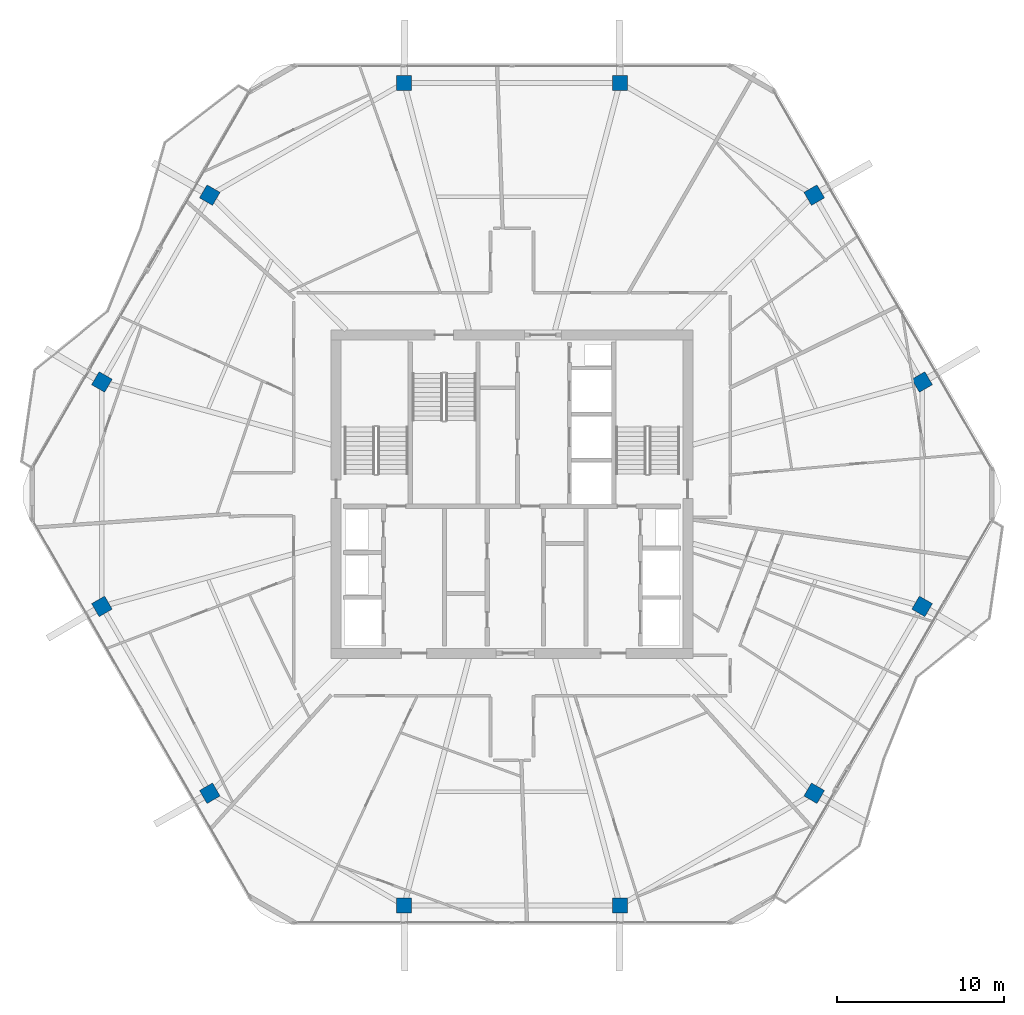
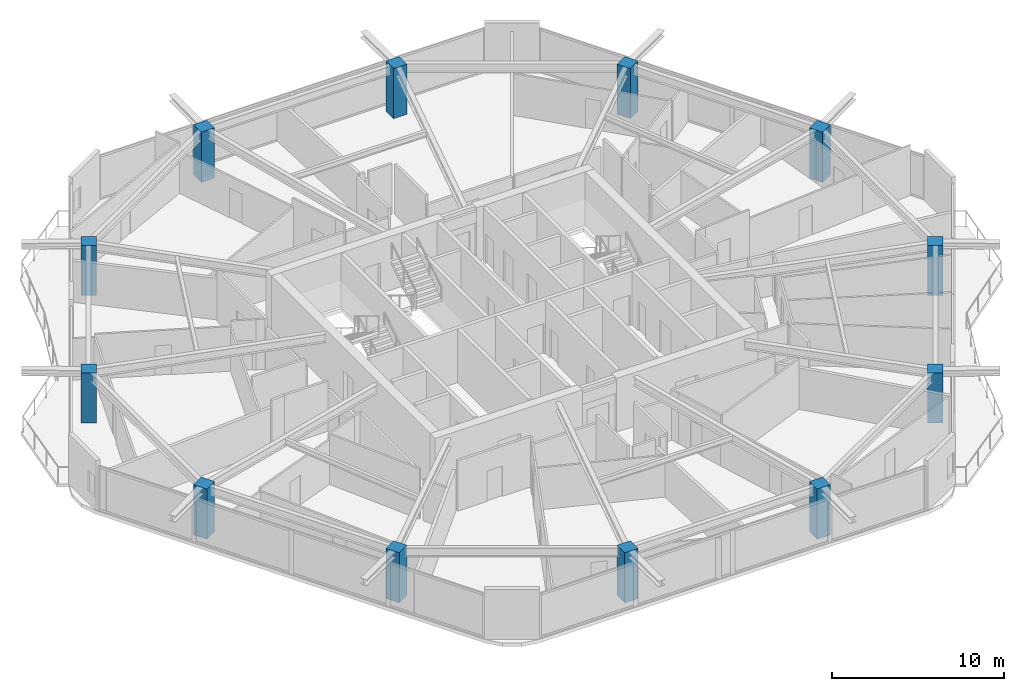
# One storey, part 1 of 25: 12 columns.
"""IFC4 building model written with IfcOpenShell, lengths in metres."""

from ifc_helpers import new_model, si_unit, direction, frame, origin, origin_2d, place, context, subcontext, project, spatial, rectangle, extrude, material, material_profile, profile_set, type_object, element, save


model = new_model("IFC4")

# Units and contexts
model_context = context("Model", 3, precision=1e-05, world=origin(), true_north=direction((0.0, 1.0)))
body_context = subcontext(model_context, "Body", "Model", "MODEL_VIEW")
ifc_project = project(units=[si_unit("LENGTHUNIT", "METRE"), si_unit("AREAUNIT", "SQUARE_METRE"), si_unit("VOLUMEUNIT", "CUBIC_METRE"), si_unit("PLANEANGLEUNIT", "RADIAN"), si_unit("MASSUNIT", "GRAM", prefix="KILO")], contexts=[model_context])

# Site, building, storey
site_placement = place(None, origin())
site = spatial("IfcSite", under=ifc_project, at=site_placement, CompositionType="ELEMENT")
building_placement = place(site_placement, origin())
building = spatial("IfcBuilding", under=site, at=building_placement, Name="Zuhravey Tower", CompositionType="ELEMENT")
storey_placement = place(building_placement, frame((0.0, 0.0, 235.0)))
storey = spatial("IfcBuildingStorey", under=building, at=storey_placement, Name="L59", CompositionType="ELEMENT", Elevation=235.0)

# Columns
ifc_material = material(Name="Concrete C50/60", Category="concrete")
ifc_material_profile = material_profile(ifc_material, rectangle(XDim=0.89990234375, YDim=0.89990234375, at=origin_2d()), Name="RC-900x900")
ifc_profile_set = profile_set([ifc_material_profile], Name="Concrete C50/60")
column_type = type_object("IfcColumnType", Name="Zone 3 Perimeter Column 900x900", PredefinedType="COLUMN", material=ifc_profile_set)
for number, where, z_axis, x_axis, name in (
    (1, (60.484619140625, 38.698974609375, 0.0), (0.0, 0.0, 1.0), (-0.5, 0.866025403784, 0.0), "L59 Perimeter Column PC01"),
    (2, (54.043701171875, 49.854736328125, 0.0), (0.0, 0.0, 1.0), (-0.5, 0.866025403784, 0.0), "L59 Perimeter Column PC02"),
    (3, (42.44091796875, 56.5537109375, 0.0), (0.0, 0.0, 1.0), (-1.0, 0.0, 0.0), "L59 Perimeter Column PC03"),
    (4, (29.55908203125, 56.5537109375, 0.0), (0.0, 0.0, 1.0), (-1.0, 0.0, 0.0), "L59 Perimeter Column PC04"),
    (5, (17.956298828125, 49.854736328125, 0.0), (0.0, 0.0, 1.0), (-0.5, -0.866025403784, 0.0), "L59 Perimeter Column PC05"),
    (6, (11.515380859375, 38.698974609375, 0.0), (0.0, 0.0, 1.0), (-0.5, -0.866025403784, 0.0), "L59 Perimeter Column PC06"),
    (7, (11.515380859375, 25.301025390625, 0.0), (0.0, 0.0, 1.0), (0.5, -0.866025403784, 0.0), "L59 Perimeter Column PC07"),
    (8, (17.956298828125, 14.145263671875, 0.0), (0.0, 0.0, 1.0), (0.5, -0.866025403784, 0.0), "L59 Perimeter Column PC08"),
    (9, (29.55908203125, 7.4462890625, 0.0), (0.0, 0.0, 1.0), (1.0, 0.0, 0.0), "L59 Perimeter Column PC09"),
    (10, (42.44091796875, 7.4462890625, 0.0), (0.0, 0.0, 1.0), (1.0, 0.0, 0.0), "L59 Perimeter Column PC10"),
    (11, (54.043701171875, 14.145263671875, 0.0), (0.0, 0.0, 1.0), (0.5, 0.866025403784, 0.0), "L59 Perimeter Column PC11"),
    (12, (60.484619140625, 25.301025390625, 0.0), (0.0, 0.0, 1.0), (0.5, 0.866025403784, 0.0), "L59 Perimeter Column PC12"),
):
    element("IfcColumn", number, at=place(storey_placement, frame(where, z_axis=z_axis, x_axis=x_axis)), inside=storey, type_object=column_type, Name=name, PredefinedType="COLUMN", context=body_context, shape_type="SweptSolid", body=[
        extrude(rectangle(XDim=0.89990234375, YDim=0.89990234375, at=origin_2d()), origin(), (0.0, 0.0, 1.0), 3.550048828125),
    ])

save(model, "model.ifc")
